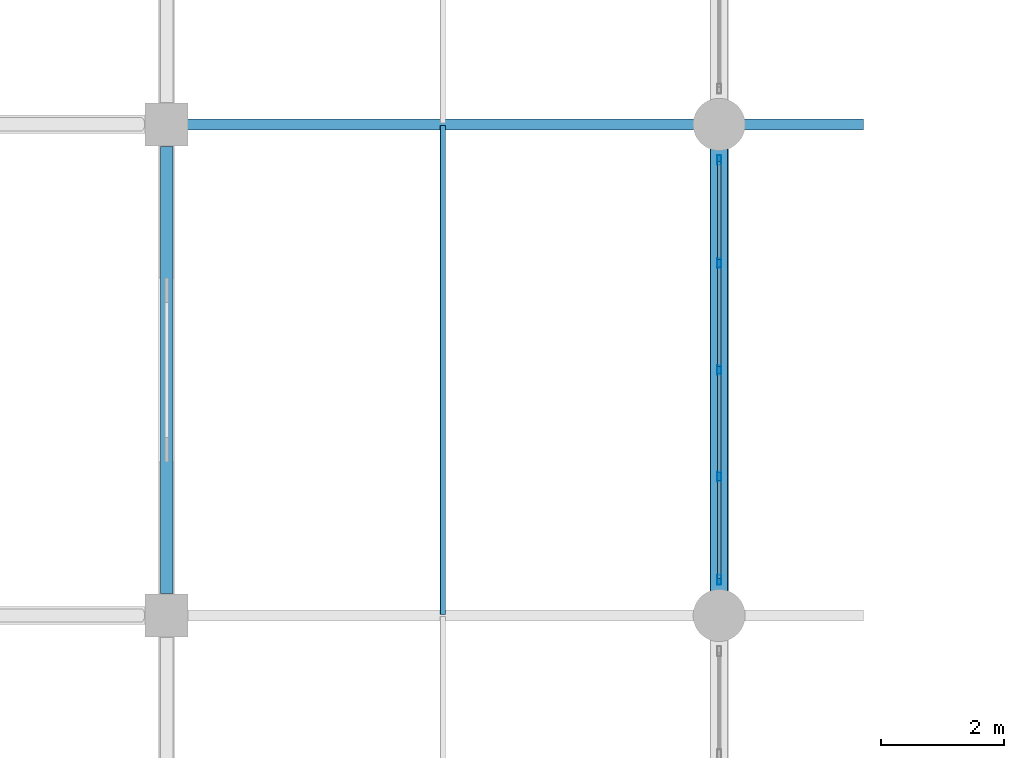
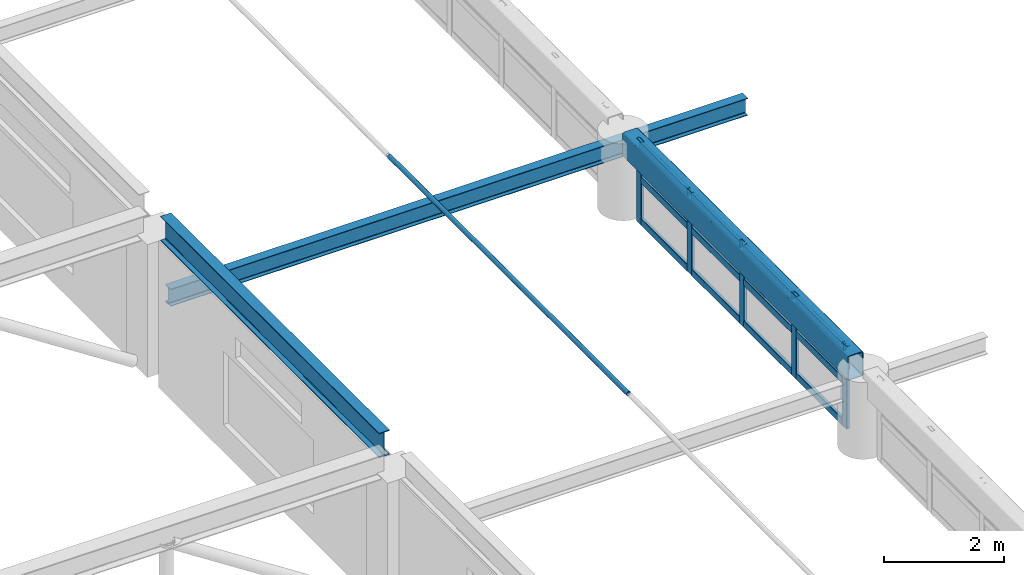
# One storey, part 37 of 128: 18 members, 3 beams, 1 element without a shape of its own.
"""IFC4 building model written with IfcOpenShell, lengths in metres."""

from ifc_helpers import new_model, si_unit, derived_unit, direction, frame, origin, origin_2d, place, context, subcontext, project, spatial, hollow_rectangle, hollow_circle, i_section, extrude, material, material_profile, profile_set, type_object, element, aggregate, save


model = new_model("IFC4")

# Units and contexts
model_context = context("Model", 3, precision=1e-05, world=origin(), true_north=direction((0.0, 1.0)))
body_context = subcontext(model_context, "Body", "Model", "MODEL_VIEW")
ifc_project = project(units=[si_unit("LENGTHUNIT", "METRE"), si_unit("AREAUNIT", "SQUARE_METRE"), si_unit("VOLUMEUNIT", "CUBIC_METRE"), si_unit("PLANEANGLEUNIT", "RADIAN"), si_unit("MASSUNIT", "GRAM", prefix="KILO"), derived_unit("THERMALTRANSMITTANCEUNIT", [(si_unit("MASSUNIT", "GRAM", prefix="KILO"), 1), (si_unit("TIMEUNIT", "SECOND"), -3), (si_unit("THERMODYNAMICTEMPERATUREUNIT", "KELVIN"), -1)])], contexts=[model_context])

# Site, building, storey
site_placement = place(None, origin())
site = spatial("IfcSite", under=ifc_project, at=site_placement, CompositionType="ELEMENT")
building_placement = place(site_placement, origin())
building = spatial("IfcBuilding", under=site, at=building_placement, Name="Zhenchuan Archway Interchange", CompositionType="ELEMENT")
storey_placement = place(building_placement, frame((0.0, 0.0, 14.39990234375)))
storey = spatial("IfcBuildingStorey", under=building, at=storey_placement, Name="L03", CompositionType="ELEMENT", Elevation=14.39990234375)

# Beams
ifc_material_1 = material(Name="Steel Q390", Category="steel")
ifc_material_profile_1 = material_profile(ifc_material_1, hollow_rectangle(XDim=0.300048828125, YDim=0.5, WallThickness=0.01611328125, InnerFilletRadius=0.01611328125, OuterFilletRadius=0.031982421875, at=origin_2d()), Name="RHS 500x300x16")
ifc_profile_set_1 = profile_set([ifc_material_profile_1], Name="Steel Q390")
beam_type_1 = type_object("IfcBeamType", Name="BM_RING_RHS500", PredefinedType="BEAM", material=ifc_profile_set_1)
beam_1_placement = place(storey_placement, frame((72.0, 40.25, 1.4501953125), z_axis=(0.0, 1.0, 0.0), x_axis=(-1.0, 0.0, 0.0)))
element("IfcBeam", 1, at=beam_1_placement, inside=storey, type_object=beam_type_1, Name="CONCOURSE CABLE-NET RING BEAM E-3", PredefinedType="BEAM", context=body_context, shape_type="SweptSolid", body=[
    extrude(hollow_rectangle(XDim=0.300048828125, YDim=0.5, WallThickness=0.01611328125, InnerFilletRadius=0.01611328125, OuterFilletRadius=0.031982421875, at=origin_2d()), origin(), (0.0, 0.0, 1.0), 7.5),
])
ifc_material_2 = material(Name="Steel Q355", Category="steel")
ifc_material_profile_2 = material_profile(ifc_material_2, i_section(OverallWidth=0.175048828125, OverallDepth=0.35009765625, WebThickness=0.007080078125, FlangeThickness=0.010986328125, FilletRadius=0.013916015625, at=origin_2d()), Name="HN 350x175")
ifc_profile_set_2 = profile_set([ifc_material_profile_2], Name="Steel Q355")
beam_type_2 = type_object("IfcBeamType", Name="BM_STL_EAVE_HN350", PredefinedType="BEAM", material=ifc_profile_set_2)
beam_2_placement = place(storey_placement, frame((63.25, 48.0, 1.25), z_axis=(1.0, 0.0, 0.0), x_axis=(0.0, 1.0, 0.0)))
element("IfcBeam", 2, at=beam_2_placement, inside=storey, type_object=beam_type_2, Name="Concourse east storm-eave continuous rafter 4", PredefinedType="BEAM", context=body_context, shape_type="SweptSolid", body=[
    extrude(i_section(OverallWidth=0.175048828125, OverallDepth=0.35009765625, WebThickness=0.007080078125, FlangeThickness=0.010986328125, FilletRadius=0.013916015625, at=origin_2d()), origin(), (0.0, 0.0, 1.0), 11.10009765625),
])
ifc_material_profile_3 = material_profile(ifc_material_2, i_section(OverallWidth=0.199951171875, OverallDepth=0.5, WebThickness=0.010009765625, FlangeThickness=0.01611328125, FilletRadius=0.02001953125, at=origin_2d()), Name="HN 500x200")
ifc_profile_set_3 = profile_set([ifc_material_profile_3], Name="Steel Q355")
beam_type_3 = type_object("IfcBeamType", Name="BM_STL_HN500", PredefinedType="BEAM", material=ifc_profile_set_3)
beam_3_placement = place(storey_placement, frame((63.0, 40.360107421875, 2.9501953125), z_axis=(0.0, 1.0, 0.0), x_axis=(-1.0, 0.0, 0.0)))
element("IfcBeam", 3, at=beam_3_placement, inside=storey, type_object=beam_type_3, Name="Concourse clerestory header beam E 40-48", PredefinedType="BEAM", context=body_context, shape_type="SweptSolid", body=[
    extrude(i_section(OverallWidth=0.199951171875, OverallDepth=0.5, WebThickness=0.010009765625, FlangeThickness=0.01611328125, FilletRadius=0.02001953125, at=origin_2d()), origin(), (0.0, 0.0, 1.0), 7.27978515625),
])

# Curtain wall, members
ifc_material_3 = material(Name="Anodised Aluminium", Category="aluminium")
curtain_wall_type = type_object("IfcCurtainWallType", Name="CW_UNIT_3", PredefinedType="NOTDEFINED", material=ifc_material_3)
curtain_wall_placement = place(storey_placement, origin())
curtain_wall = element("IfcCurtainWall", 4, at=curtain_wall_placement, inside=storey, type_object=curtain_wall_type, Name="Unitised curtain wall CW:L03:RING-E3", PredefinedType="NOTDEFINED")
ifc_material_profile_4 = material_profile(ifc_material_3, hollow_rectangle(XDim=0.06005859375, YDim=0.159912109375, WallThickness=0.00390625, InnerFilletRadius=0.00390625, OuterFilletRadius=0.008056640625, at=origin_2d()), Name="ALU 160x60x4")
ifc_profile_set_4 = profile_set([ifc_material_profile_4], Name="Anodised Aluminium")
member_type_1 = type_object("IfcMemberType", Name="CW_MUL_150", PredefinedType="MULLION", material=ifc_profile_set_4)
member_1_placement = place(storey_placement, frame((72.0, 40.580078125, 0.02001953125), z_axis=(0.0, 0.0, 1.0), x_axis=(1.0, 0.0, 0.0)))
member_1 = element("IfcMember", 5, at=member_1_placement, type_object=member_type_1, Name="CW:L03:RING-E3 mullion 0", PredefinedType="MULLION", context=body_context, shape_type="SweptSolid", body=[
    extrude(hollow_rectangle(XDim=0.06005859375, YDim=0.159912109375, WallThickness=0.00390625, InnerFilletRadius=0.00390625, OuterFilletRadius=0.008056640625, at=origin_2d()), origin(), (0.0, 0.0, 1.0), 1.68017578125),
])
member_2_placement = place(storey_placement, frame((72.0, 42.260009765625, 0.02001953125), z_axis=(0.0, 0.0, 1.0), x_axis=(1.0, 0.0, 0.0)))
member_2 = element("IfcMember", 6, at=member_2_placement, type_object=member_type_1, Name="CW:L03:RING-E3 mullion 1", PredefinedType="MULLION", context=body_context, shape_type="SweptSolid", body=[
    extrude(hollow_rectangle(XDim=0.06005859375, YDim=0.159912109375, WallThickness=0.00390625, InnerFilletRadius=0.00390625, OuterFilletRadius=0.008056640625, at=origin_2d()), origin(), (0.0, 0.0, 1.0), 1.68017578125),
])
member_3_placement = place(storey_placement, frame((72.0, 44.0, 0.02001953125), z_axis=(0.0, 0.0, 1.0), x_axis=(1.0, 0.0, 0.0)))
member_3 = element("IfcMember", 7, at=member_3_placement, type_object=member_type_1, Name="CW:L03:RING-E3 mullion 2", PredefinedType="MULLION", context=body_context, shape_type="SweptSolid", body=[
    extrude(hollow_rectangle(XDim=0.06005859375, YDim=0.159912109375, WallThickness=0.00390625, InnerFilletRadius=0.00390625, OuterFilletRadius=0.008056640625, at=origin_2d()), origin(), (0.0, 0.0, 1.0), 1.68017578125),
])
member_4_placement = place(storey_placement, frame((72.0, 45.739990234375, 0.02001953125), z_axis=(0.0, 0.0, 1.0), x_axis=(1.0, 0.0, 0.0)))
member_4 = element("IfcMember", 8, at=member_4_placement, type_object=member_type_1, Name="CW:L03:RING-E3 mullion 3", PredefinedType="MULLION", context=body_context, shape_type="SweptSolid", body=[
    extrude(hollow_rectangle(XDim=0.06005859375, YDim=0.159912109375, WallThickness=0.00390625, InnerFilletRadius=0.00390625, OuterFilletRadius=0.008056640625, at=origin_2d()), origin(), (0.0, 0.0, 1.0), 1.68017578125),
])
member_5_placement = place(storey_placement, frame((72.0, 47.419921875, 0.02001953125), z_axis=(0.0, 0.0, 1.0), x_axis=(1.0, 0.0, 0.0)))
member_5 = element("IfcMember", 9, at=member_5_placement, type_object=member_type_1, Name="CW:L03:RING-E3 mullion 4", PredefinedType="MULLION", context=body_context, shape_type="SweptSolid", body=[
    extrude(hollow_rectangle(XDim=0.06005859375, YDim=0.159912109375, WallThickness=0.00390625, InnerFilletRadius=0.00390625, OuterFilletRadius=0.008056640625, at=origin_2d()), origin(), (0.0, 0.0, 1.0), 1.68017578125),
])
ifc_material_profile_5 = material_profile(ifc_material_3, hollow_rectangle(XDim=0.06005859375, YDim=0.139892578125, WallThickness=0.00341796875, InnerFilletRadius=0.00341796875, OuterFilletRadius=0.007080078125, at=origin_2d()), Name="ALU 140x60x3.5")
ifc_profile_set_5 = profile_set([ifc_material_profile_5], Name="Anodised Aluminium")
member_type_2 = type_object("IfcMemberType", Name="CW_TRN_140", PredefinedType="USERDEFINED", material=ifc_profile_set_5)
member_6_placement = place(storey_placement, frame((72.0, 40.60009765625, 0.080078125), z_axis=(0.0, 1.0, 0.0), x_axis=(-1.0, 0.0, 0.0)))
member_6 = element("IfcMember", 10, at=member_6_placement, type_object=member_type_2, Name="CW:L03:RING-E3 transom 0-1", ObjectType="TRANSOM", PredefinedType="USERDEFINED", context=body_context, shape_type="SweptSolid", body=[
    extrude(hollow_rectangle(XDim=0.06005859375, YDim=0.139892578125, WallThickness=0.00341796875, InnerFilletRadius=0.00341796875, OuterFilletRadius=0.007080078125, at=origin_2d()), origin(), (0.0, 0.0, 1.0), 1.599853515625),
])
member_7_placement = place(storey_placement, frame((72.0, 40.60009765625, 0.93310546875), z_axis=(0.0, 1.0, 0.0), x_axis=(-1.0, 0.0, 0.0)))
member_7 = element("IfcMember", 11, at=member_7_placement, type_object=member_type_2, Name="CW:L03:RING-E3 transom 0-2", ObjectType="TRANSOM", PredefinedType="USERDEFINED", context=body_context, shape_type="SweptSolid", body=[
    extrude(hollow_rectangle(XDim=0.06005859375, YDim=0.139892578125, WallThickness=0.00341796875, InnerFilletRadius=0.00341796875, OuterFilletRadius=0.007080078125, at=origin_2d()), origin(), (0.0, 0.0, 1.0), 1.599853515625),
])
member_8_placement = place(storey_placement, frame((72.0, 40.60009765625, 1.6201171875), z_axis=(0.0, 1.0, 0.0), x_axis=(-1.0, 0.0, 0.0)))
member_8 = element("IfcMember", 12, at=member_8_placement, type_object=member_type_2, Name="CW:L03:RING-E3 transom 0-3", ObjectType="TRANSOM", PredefinedType="USERDEFINED", context=body_context, shape_type="SweptSolid", body=[
    extrude(hollow_rectangle(XDim=0.06005859375, YDim=0.139892578125, WallThickness=0.00341796875, InnerFilletRadius=0.00341796875, OuterFilletRadius=0.007080078125, at=origin_2d()), origin(), (0.0, 0.0, 1.0), 1.599853515625),
])
member_9_placement = place(storey_placement, frame((72.0, 42.320068359375, 0.080078125), z_axis=(0.0, 1.0, 0.0), x_axis=(-1.0, 0.0, 0.0)))
member_9 = element("IfcMember", 13, at=member_9_placement, type_object=member_type_2, Name="CW:L03:RING-E3 transom 1-1", ObjectType="TRANSOM", PredefinedType="USERDEFINED", context=body_context, shape_type="SweptSolid", body=[
    extrude(hollow_rectangle(XDim=0.06005859375, YDim=0.139892578125, WallThickness=0.00341796875, InnerFilletRadius=0.00341796875, OuterFilletRadius=0.007080078125, at=origin_2d()), origin(), (0.0, 0.0, 1.0), 1.619873046875),
])
member_10_placement = place(storey_placement, frame((72.0, 42.320068359375, 0.93310546875), z_axis=(0.0, 1.0, 0.0), x_axis=(-1.0, 0.0, 0.0)))
member_10 = element("IfcMember", 14, at=member_10_placement, type_object=member_type_2, Name="CW:L03:RING-E3 transom 1-2", ObjectType="TRANSOM", PredefinedType="USERDEFINED", context=body_context, shape_type="SweptSolid", body=[
    extrude(hollow_rectangle(XDim=0.06005859375, YDim=0.139892578125, WallThickness=0.00341796875, InnerFilletRadius=0.00341796875, OuterFilletRadius=0.007080078125, at=origin_2d()), origin(), (0.0, 0.0, 1.0), 1.619873046875),
])
member_11_placement = place(storey_placement, frame((72.0, 42.320068359375, 1.6201171875), z_axis=(0.0, 1.0, 0.0), x_axis=(-1.0, 0.0, 0.0)))
member_11 = element("IfcMember", 15, at=member_11_placement, type_object=member_type_2, Name="CW:L03:RING-E3 transom 1-3", ObjectType="TRANSOM", PredefinedType="USERDEFINED", context=body_context, shape_type="SweptSolid", body=[
    extrude(hollow_rectangle(XDim=0.06005859375, YDim=0.139892578125, WallThickness=0.00341796875, InnerFilletRadius=0.00341796875, OuterFilletRadius=0.007080078125, at=origin_2d()), origin(), (0.0, 0.0, 1.0), 1.619873046875),
])
member_12_placement = place(storey_placement, frame((72.0, 44.06005859375, 0.080078125), z_axis=(0.0, 1.0, 0.0), x_axis=(-1.0, 0.0, 0.0)))
member_12 = element("IfcMember", 16, at=member_12_placement, type_object=member_type_2, Name="CW:L03:RING-E3 transom 2-1", ObjectType="TRANSOM", PredefinedType="USERDEFINED", context=body_context, shape_type="SweptSolid", body=[
    extrude(hollow_rectangle(XDim=0.06005859375, YDim=0.139892578125, WallThickness=0.00341796875, InnerFilletRadius=0.00341796875, OuterFilletRadius=0.007080078125, at=origin_2d()), origin(), (0.0, 0.0, 1.0), 1.619873046875),
])
member_13_placement = place(storey_placement, frame((72.0, 44.06005859375, 0.93310546875), z_axis=(0.0, 1.0, 0.0), x_axis=(-1.0, 0.0, 0.0)))
member_13 = element("IfcMember", 17, at=member_13_placement, type_object=member_type_2, Name="CW:L03:RING-E3 transom 2-2", ObjectType="TRANSOM", PredefinedType="USERDEFINED", context=body_context, shape_type="SweptSolid", body=[
    extrude(hollow_rectangle(XDim=0.06005859375, YDim=0.139892578125, WallThickness=0.00341796875, InnerFilletRadius=0.00341796875, OuterFilletRadius=0.007080078125, at=origin_2d()), origin(), (0.0, 0.0, 1.0), 1.619873046875),
])
member_14_placement = place(storey_placement, frame((72.0, 44.06005859375, 1.6201171875), z_axis=(0.0, 1.0, 0.0), x_axis=(-1.0, 0.0, 0.0)))
member_14 = element("IfcMember", 18, at=member_14_placement, type_object=member_type_2, Name="CW:L03:RING-E3 transom 2-3", ObjectType="TRANSOM", PredefinedType="USERDEFINED", context=body_context, shape_type="SweptSolid", body=[
    extrude(hollow_rectangle(XDim=0.06005859375, YDim=0.139892578125, WallThickness=0.00341796875, InnerFilletRadius=0.00341796875, OuterFilletRadius=0.007080078125, at=origin_2d()), origin(), (0.0, 0.0, 1.0), 1.619873046875),
])
member_15_placement = place(storey_placement, frame((72.0, 45.800048828125, 0.080078125), z_axis=(0.0, 1.0, 0.0), x_axis=(-1.0, 0.0, 0.0)))
member_15 = element("IfcMember", 19, at=member_15_placement, type_object=member_type_2, Name="CW:L03:RING-E3 transom 3-1", ObjectType="TRANSOM", PredefinedType="USERDEFINED", context=body_context, shape_type="SweptSolid", body=[
    extrude(hollow_rectangle(XDim=0.06005859375, YDim=0.139892578125, WallThickness=0.00341796875, InnerFilletRadius=0.00341796875, OuterFilletRadius=0.007080078125, at=origin_2d()), origin(), (0.0, 0.0, 1.0), 1.599853515625),
])
member_16_placement = place(storey_placement, frame((72.0, 45.800048828125, 0.93310546875), z_axis=(0.0, 1.0, 0.0), x_axis=(-1.0, 0.0, 0.0)))
member_16 = element("IfcMember", 20, at=member_16_placement, type_object=member_type_2, Name="CW:L03:RING-E3 transom 3-2", ObjectType="TRANSOM", PredefinedType="USERDEFINED", context=body_context, shape_type="SweptSolid", body=[
    extrude(hollow_rectangle(XDim=0.06005859375, YDim=0.139892578125, WallThickness=0.00341796875, InnerFilletRadius=0.00341796875, OuterFilletRadius=0.007080078125, at=origin_2d()), origin(), (0.0, 0.0, 1.0), 1.599853515625),
])
member_17_placement = place(storey_placement, frame((72.0, 45.800048828125, 1.6201171875), z_axis=(0.0, 1.0, 0.0), x_axis=(-1.0, 0.0, 0.0)))
member_17 = element("IfcMember", 21, at=member_17_placement, type_object=member_type_2, Name="CW:L03:RING-E3 transom 3-3", ObjectType="TRANSOM", PredefinedType="USERDEFINED", context=body_context, shape_type="SweptSolid", body=[
    extrude(hollow_rectangle(XDim=0.06005859375, YDim=0.139892578125, WallThickness=0.00341796875, InnerFilletRadius=0.00341796875, OuterFilletRadius=0.007080078125, at=origin_2d()), origin(), (0.0, 0.0, 1.0), 1.599853515625),
])
aggregate(curtain_wall, [member_1, member_2, member_3, member_4, member_5, member_6, member_7, member_8, member_9, member_10, member_11, member_12, member_13, member_14, member_15, member_16, member_17])

# Member
ifc_material_profile_6 = material_profile(ifc_material_1, hollow_circle(Radius=0.04443359375, WallThickness=0.006103515625, at=origin_2d()), Name="CHS 89x6")
ifc_profile_set_6 = profile_set([ifc_material_profile_6], Name="Steel Q390")
member_type_3 = type_object("IfcMemberType", Name="MB_CBL_CHS89", PredefinedType="USERDEFINED", material=ifc_profile_set_6)
member_18_placement = place(storey_placement, frame((67.5, 40.02001953125, 2.60009765625), z_axis=(0.0, 1.0, 0.0), x_axis=(-1.0, 0.0, 0.0)))
element("IfcMember", 22, at=member_18_placement, inside=storey, type_object=member_type_3, Name="CONCOURSE ROOF CABLE longitudinal net strand 2-6", ObjectType="CABLE", PredefinedType="USERDEFINED", context=body_context, shape_type="SweptSolid", body=[
    extrude(hollow_circle(Radius=0.04443359375, WallThickness=0.006103515625, at=origin_2d()), origin(), (0.0, 0.0, 1.0), 7.9599609375),
])

save(model, "model.ifc")
